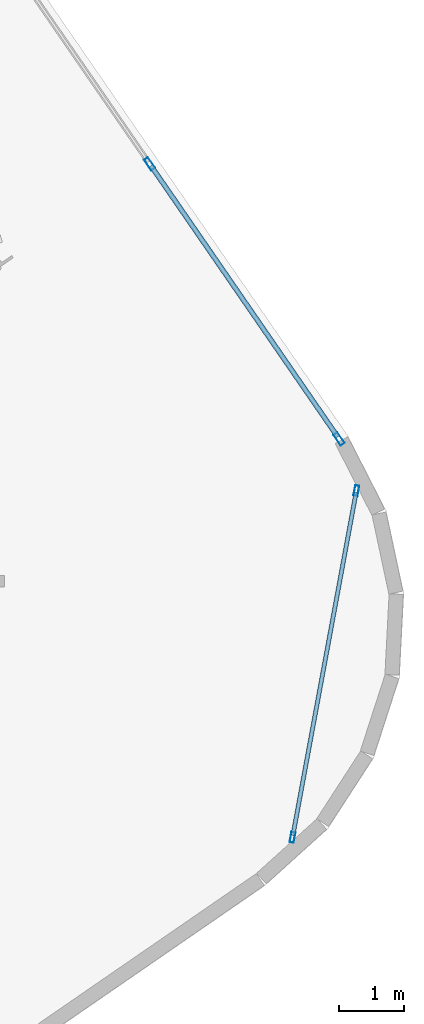
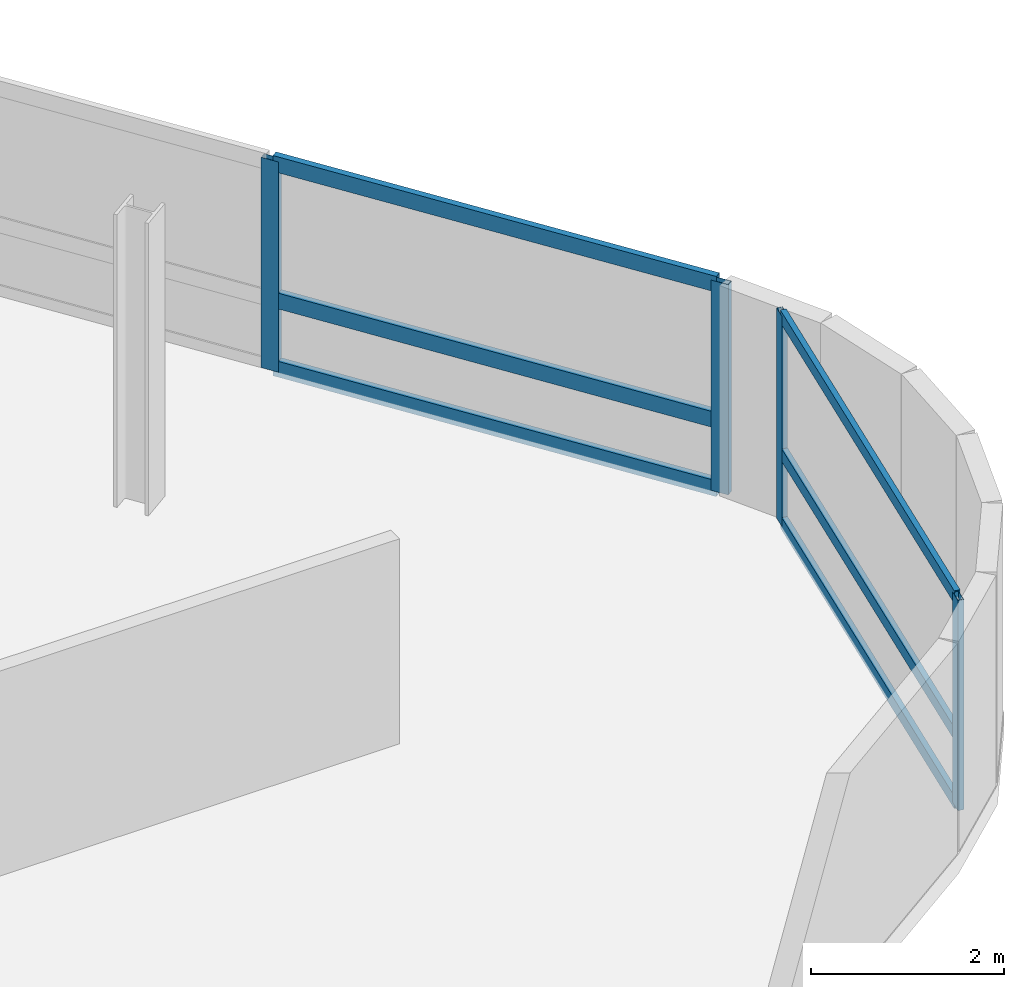
# One storey, part 13 of 23: 10 members, 2 elements without a shape of their own.
"""IFC4 building model written with IfcOpenShell, lengths in metres."""

from ifc_helpers import new_model, si_unit, direction, frame, origin, origin_2d, place, context, subcontext, project, spatial, hollow_rectangle, extrude, material, layer, layer_set, material_profile, profile_set, type_object, element, aggregate, save


model = new_model("IFC4")

# Units and contexts
model_context = context("Model", 3, precision=1e-05, world=origin(), true_north=direction((0.0, 1.0)))
body_context = subcontext(model_context, "Body", "Model", "MODEL_VIEW")
ifc_project = project(units=[si_unit("LENGTHUNIT", "METRE"), si_unit("AREAUNIT", "SQUARE_METRE"), si_unit("VOLUMEUNIT", "CUBIC_METRE"), si_unit("PLANEANGLEUNIT", "RADIAN"), si_unit("MASSUNIT", "GRAM", prefix="KILO")], contexts=[model_context])

# Site, building, storey
site_placement = place(None, origin())
site = spatial("IfcSite", under=ifc_project, at=site_placement, CompositionType="ELEMENT")
building_placement = place(site_placement, origin())
building = spatial("IfcBuilding", under=site, at=building_placement, Name="Varnelok Gate Tower", CompositionType="ELEMENT")
storey_placement = place(building_placement, frame((0.0, 0.0, 287.800048828125)))
storey = spatial("IfcBuildingStorey", under=building, at=storey_placement, Name="L74", CompositionType="ELEMENT", Elevation=287.800048828125)

# Curtain wall, members
ifc_material = material(Name="Anodized Aluminum Alloy 6063-T6", Category="aluminium")
ifc_layer_1 = layer(ifc_material, 0.179931640625)
ifc_layer_set_1 = layer_set([ifc_layer_1], Name="Anodized Aluminum Alloy 6063-T6")
curtain_wall_type_1 = type_object("IfcCurtainWallType", Name="CW5-WINDCORNER-GLAZ", PredefinedType="USERDEFINED", material=ifc_layer_set_1)
curtain_wall_1_placement = place(storey_placement, origin())
curtain_wall_1 = element("IfcCurtainWall", 1, at=curtain_wall_1_placement, inside=storey, type_object=curtain_wall_type_1, Name="L74 Wind-Shaped Corner Curtain Wall SE", ObjectType="STRUCTURAL GLAZING", PredefinedType="USERDEFINED")
ifc_material_profile_1 = material_profile(ifc_material, hollow_rectangle(XDim=0.06494140625, YDim=0.159912109375, WallThickness=0.00390625, at=origin_2d()), Name="ALU160X65X4")
ifc_profile_set_1 = profile_set([ifc_material_profile_1], Name="Anodized Aluminum Alloy 6063-T6")
member_type_1 = type_object("IfcMemberType", Name="CW-MULL-160", PredefinedType="MULLION", material=ifc_profile_set_1)
member_1_placement = place(storey_placement, frame((74.451904296875, 25.021240234375, 0.0), z_axis=(0.0, 0.0, 1.0), x_axis=(-0.983445962106, 0.181201654564, 0.0)))
member_1 = element("IfcMember", 2, at=member_1_placement, type_object=member_type_1, Name="CW5 mullion 1", PredefinedType="MULLION", context=body_context, shape_type="SweptSolid", body=[
    extrude(hollow_rectangle(XDim=0.06494140625, YDim=0.159912109375, WallThickness=0.00390625, at=origin_2d()), origin(), (0.0, 0.0, 1.0), 2.659912109375),
])
member_2_placement = place(storey_placement, frame((75.439697265625, 30.38134765625, 0.0), z_axis=(0.0, 0.0, 1.0), x_axis=(-0.983445962106, 0.181201654564, 0.0)))
member_2 = element("IfcMember", 3, at=member_2_placement, type_object=member_type_1, Name="CW5 mullion 2", PredefinedType="MULLION", context=body_context, shape_type="SweptSolid", body=[
    extrude(hollow_rectangle(XDim=0.06494140625, YDim=0.159912109375, WallThickness=0.00390625, at=origin_2d()), origin(), (0.0, 0.0, 1.0), 2.659912109375),
])

ifc_layer_2 = layer(ifc_material, 0.179931640625)
ifc_layer_set_2 = layer_set([ifc_layer_2], Name="Anodized Aluminum Alloy 6063-T6")
curtain_wall_type_2 = type_object("IfcCurtainWallType", Name="CW6-CROWN-LOOKOUT", PredefinedType="USERDEFINED", material=ifc_layer_set_2)
curtain_wall_2_placement = place(storey_placement, origin())
curtain_wall_2 = element("IfcCurtainWall", 4, at=curtain_wall_2_placement, inside=storey, type_object=curtain_wall_type_2, Name="L74 East End Vision Curtain Wall", ObjectType="STRUCTURAL GLAZING", PredefinedType="USERDEFINED")
ifc_material_profile_2 = material_profile(ifc_material, hollow_rectangle(XDim=0.074951171875, YDim=0.199951171875, WallThickness=0.00390625, at=origin_2d()), Name="ALU200X75X4")
ifc_profile_set_2 = profile_set([ifc_material_profile_2], Name="Anodized Aluminum Alloy 6063-T6")
member_type_2 = type_object("IfcMemberType", Name="CW-MULL-200", PredefinedType="MULLION", material=ifc_profile_set_2)
member_3_placement = place(storey_placement, frame((72.2431640625, 35.432373046875, 0.0), z_axis=(0.0, 0.0, 1.0), x_axis=(0.823532290241, 0.567269395376, 0.0)))
member_3 = element("IfcMember", 5, at=member_3_placement, type_object=member_type_2, Name="CW6 mullion 6", PredefinedType="MULLION", context=body_context, shape_type="SweptSolid", body=[
    extrude(hollow_rectangle(XDim=0.074951171875, YDim=0.199951171875, WallThickness=0.00390625, at=origin_2d()), origin(), (0.0, 0.0, 1.0), 2.659912109375),
])
member_4_placement = place(storey_placement, frame((75.171630859375, 31.180908203125, 0.0), z_axis=(0.0, 0.0, 1.0), x_axis=(0.823532290241, 0.567269395376, 0.0)))
member_4 = element("IfcMember", 6, at=member_4_placement, type_object=member_type_2, Name="CW6 mullion 7", PredefinedType="MULLION", context=body_context, shape_type="SweptSolid", body=[
    extrude(hollow_rectangle(XDim=0.074951171875, YDim=0.199951171875, WallThickness=0.00390625, at=origin_2d()), origin(), (0.0, 0.0, 1.0), 2.659912109375),
])

# Member
ifc_material_profile_3 = material_profile(ifc_material, hollow_rectangle(XDim=0.06494140625, YDim=0.159912109375, WallThickness=0.00390625, at=origin_2d()), Name="ALU160X65X4")
ifc_profile_set_3 = profile_set([ifc_material_profile_3], Name="Anodized Aluminum Alloy 6063-T6")
member_type_3 = type_object("IfcMemberType", Name="CW-TRAN-160", PredefinedType="USERDEFINED", material=ifc_profile_set_3)
member_5_placement = place(storey_placement, frame((74.457763671875, 25.05322265625, 0.032470703125), z_axis=(0.181246660184, 0.983437668677, 0.0), x_axis=(-0.983437668677, 0.181246660184, 0.0)))
member_5 = element("IfcMember", 7, at=member_5_placement, type_object=member_type_3, Name="CW5 transom 1.1", ObjectType="TRANSOM", PredefinedType="USERDEFINED", context=body_context, shape_type="SweptSolid", body=[
    extrude(hollow_rectangle(XDim=0.06494140625, YDim=0.159912109375, WallThickness=0.00390625, at=origin_2d()), origin(), (0.0, 0.0, 1.0), 5.38525390625),
])

member_6_placement = place(storey_placement, frame((74.457763671875, 25.05322265625, 0.89990234375), z_axis=(0.181246660184, 0.983437668677, 0.0), x_axis=(-0.983437668677, 0.181246660184, 0.0)))
member_6 = element("IfcMember", 8, at=member_6_placement, type_object=member_type_3, Name="CW5 transom 1.2", ObjectType="TRANSOM", PredefinedType="USERDEFINED", context=body_context, shape_type="SweptSolid", body=[
    extrude(hollow_rectangle(XDim=0.06494140625, YDim=0.159912109375, WallThickness=0.00390625, at=origin_2d()), origin(), (0.0, 0.0, 1.0), 5.38525390625),
])

member_7_placement = place(storey_placement, frame((74.457763671875, 25.05322265625, 2.62744140625), z_axis=(0.181246660184, 0.983437668677, 0.0), x_axis=(-0.983437668677, 0.181246660184, 0.0)))
member_7 = element("IfcMember", 9, at=member_7_placement, type_object=member_type_3, Name="CW5 transom 1.3", ObjectType="TRANSOM", PredefinedType="USERDEFINED", context=body_context, shape_type="SweptSolid", body=[
    extrude(hollow_rectangle(XDim=0.06494140625, YDim=0.159912109375, WallThickness=0.00390625, at=origin_2d()), origin(), (0.0, 0.0, 1.0), 5.38525390625),
])

aggregate(curtain_wall_1, [member_1, member_2, member_5, member_6, member_7])

ifc_material_profile_4 = material_profile(ifc_material, hollow_rectangle(XDim=0.074951171875, YDim=0.199951171875, WallThickness=0.00390625, at=origin_2d()), Name="ALU200X75X4")
ifc_profile_set_4 = profile_set([ifc_material_profile_4], Name="Anodized Aluminum Alloy 6063-T6")
member_type_4 = type_object("IfcMemberType", Name="CW-TRAN-200", PredefinedType="USERDEFINED", material=ifc_profile_set_4)
member_8_placement = place(storey_placement, frame((72.264404296875, 35.401611328125, 0.037353515625), z_axis=(0.567271968481, -0.823530517817, 0.0), x_axis=(0.823530517817, 0.567271968481, 0.0)))
member_8 = element("IfcMember", 10, at=member_8_placement, type_object=member_type_4, Name="CW6 transom 6.1", ObjectType="TRANSOM", PredefinedType="USERDEFINED", context=body_context, shape_type="SweptSolid", body=[
    extrude(hollow_rectangle(XDim=0.074951171875, YDim=0.199951171875, WallThickness=0.00390625, at=origin_2d()), origin(), (0.0, 0.0, 1.0), 5.08740234375),
])

member_9_placement = place(storey_placement, frame((72.264404296875, 35.401611328125, 0.89990234375), z_axis=(0.567271968481, -0.823530517817, 0.0), x_axis=(0.823530517817, 0.567271968481, 0.0)))
member_9 = element("IfcMember", 11, at=member_9_placement, type_object=member_type_4, Name="CW6 transom 6.2", ObjectType="TRANSOM", PredefinedType="USERDEFINED", context=body_context, shape_type="SweptSolid", body=[
    extrude(hollow_rectangle(XDim=0.074951171875, YDim=0.199951171875, WallThickness=0.00390625, at=origin_2d()), origin(), (0.0, 0.0, 1.0), 5.08740234375),
])

member_10_placement = place(storey_placement, frame((72.264404296875, 35.401611328125, 2.62255859375), z_axis=(0.567271968481, -0.823530517817, 0.0), x_axis=(0.823530517817, 0.567271968481, 0.0)))
member_10 = element("IfcMember", 12, at=member_10_placement, type_object=member_type_4, Name="CW6 transom 6.3", ObjectType="TRANSOM", PredefinedType="USERDEFINED", context=body_context, shape_type="SweptSolid", body=[
    extrude(hollow_rectangle(XDim=0.074951171875, YDim=0.199951171875, WallThickness=0.00390625, at=origin_2d()), origin(), (0.0, 0.0, 1.0), 5.08740234375),
])

aggregate(curtain_wall_2, [member_3, member_4, member_8, member_9, member_10])

save(model, "model.ifc")
